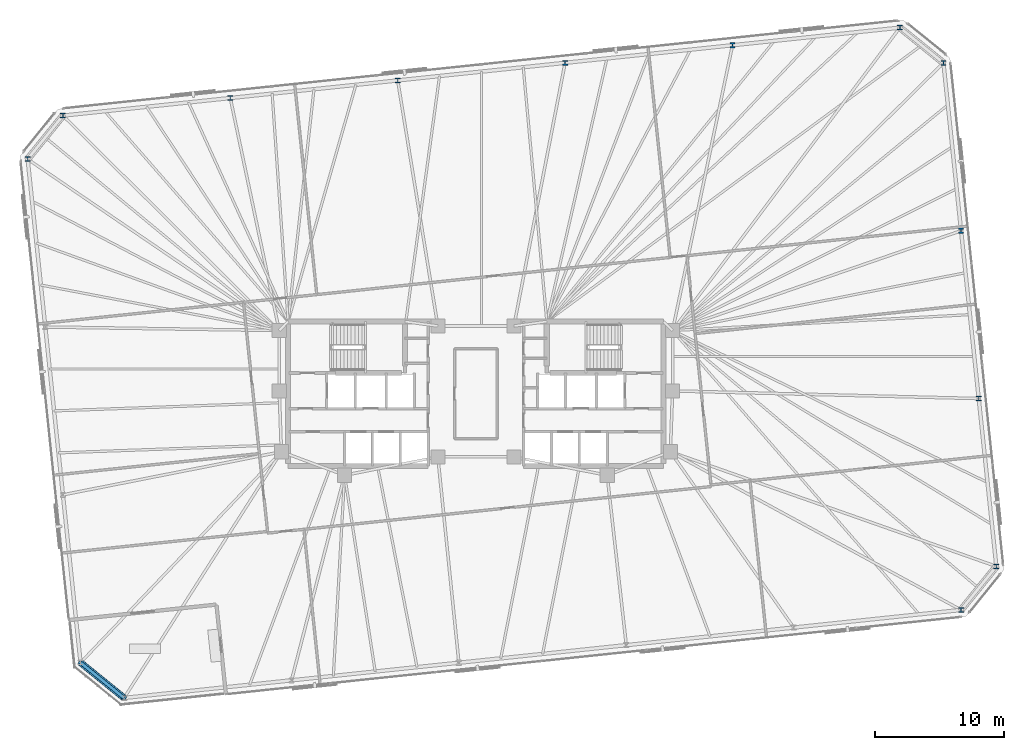
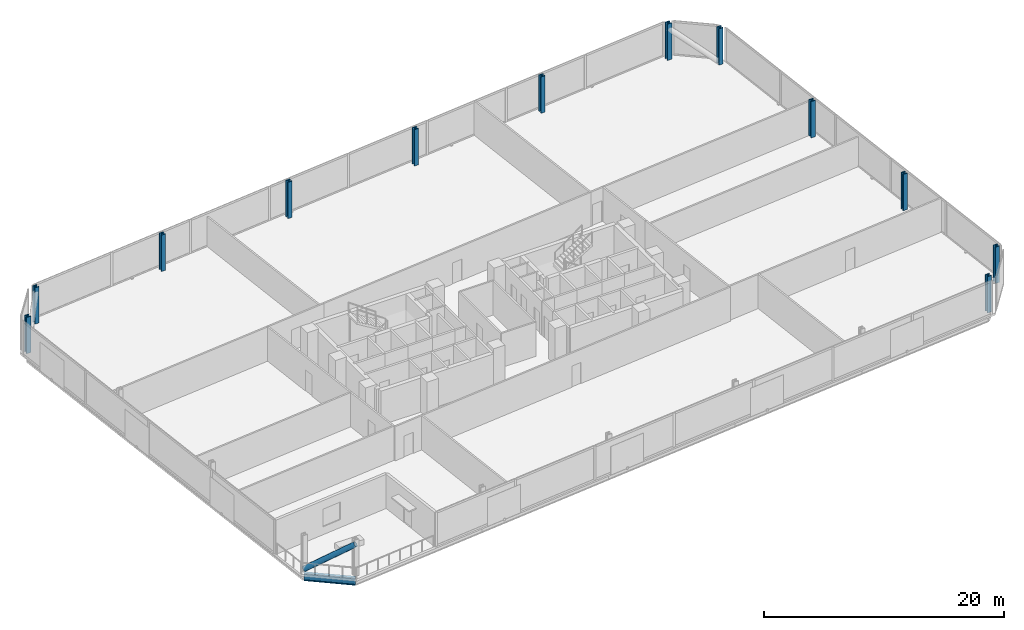
# One storey, part 5 of 18: 12 columns, 1 beam, 1 member.
"""IFC4 building model written with IfcOpenShell, lengths in metres."""

from ifc_helpers import new_model, si_unit, direction, frame, origin, origin_2d, place, context, subcontext, project, spatial, hollow_circle, i_section, extrude, material, material_profile, profile_set, type_object, element, save


model = new_model("IFC4")

# Units and contexts
model_context = context("Model", 3, precision=1e-05, world=origin(), true_north=direction((0.0, 1.0)))
body_context = subcontext(model_context, "Body", "Model", "MODEL_VIEW")
ifc_project = project(units=[si_unit("LENGTHUNIT", "METRE"), si_unit("AREAUNIT", "SQUARE_METRE"), si_unit("VOLUMEUNIT", "CUBIC_METRE"), si_unit("PLANEANGLEUNIT", "RADIAN"), si_unit("MASSUNIT", "GRAM", prefix="KILO")], contexts=[model_context])

# Site, building, storey
site_placement = place(None, origin())
site = spatial("IfcSite", under=ifc_project, at=site_placement, CompositionType="ELEMENT")
building_placement = place(site_placement, origin())
building = spatial("IfcBuilding", under=site, at=building_placement, Name="Menara Jurai Vektor", CompositionType="ELEMENT")
storey_placement = place(building_placement, frame((0.0, 0.0, 113.300048828125)))
storey = spatial("IfcBuildingStorey", under=building, at=storey_placement, Name="L28", CompositionType="ELEMENT", Elevation=113.300048828125)

# Columns
ifc_material = material(Name="Steel S460", Category="steel")
ifc_material_profile_1 = material_profile(ifc_material, i_section(OverallWidth=0.4130859375, OverallDepth=0.39794921875, WebThickness=0.055908203125, FlangeThickness=0.089111328125, FilletRadius=0.014892578125, at=origin_2d()), Name="HD 400x744")
ifc_profile_set_1 = profile_set([ifc_material_profile_1], Name="Steel S460")
column_type = type_object("IfcColumnType", Name="STR-EXO-BLK2", PredefinedType="COLUMN", material=ifc_profile_set_1)
for number, where, z_axis, x_axis, name in (
    (1, (37.621826171875, -16.76513671875, 0.0), (0.0, 0.0, 1.0), (1.0, 0.0, 0.0), "Exoskeleton Column BLK2-S6 L28"),
    (2, (40.356201171875, -13.388671875, 0.0), (0.0, 0.0, 1.0), (1.0, 0.0, 0.0), "Exoskeleton Column BLK2-E1 L28"),
    (3, (38.98828125, -0.375, 0.0), (0.0, 0.0, 1.0), (1.0, 0.0, 0.0), "Exoskeleton Column BLK2-E2 L28"),
    (4, (37.62060546875, 12.638427734375, 0.0), (0.0, 0.0, 1.0), (1.0, 0.0, 0.0), "Exoskeleton Column BLK2-E3 L28"),
    (5, (36.252685546875, 25.65185546875, 0.0), (0.0, 0.0, 1.0), (1.0, 0.0, 0.0), "Exoskeleton Column BLK2-E4 L28"),
    (6, (32.876220703125, 28.38623046875, 0.0), (0.0, 0.0, 1.0), (1.0, 0.0, 0.0), "Exoskeleton Column BLK2-N1 L28"),
    (7, (19.896728515625, 27.02197265625, 0.0), (0.0, 0.0, 1.0), (1.0, 0.0, 0.0), "Exoskeleton Column BLK2-N2 L28"),
    (8, (6.9169921875, 25.65771484375, 0.0), (0.0, 0.0, 1.0), (1.0, 0.0, 0.0), "Exoskeleton Column BLK2-N3 L28"),
    (9, (-6.0625, 24.29345703125, 0.0), (0.0, 0.0, 1.0), (1.0, 0.0, 0.0), "Exoskeleton Column BLK2-N4 L28"),
    (10, (-19.042236328125, 22.929443359375, 0.0), (0.0, 0.0, 1.0), (1.0, 0.0, 0.0), "Exoskeleton Column BLK2-N5 L28"),
    (11, (-32.02197265625, 21.565185546875, 0.0), (0.0, 0.0, 1.0), (1.0, 0.0, 0.0), "Exoskeleton Column BLK2-N6 L28"),
    (12, (-34.756103515625, 18.188720703125, 0.0), (0.0, 0.0, 1.0), (1.0, 0.0, 0.0), "Exoskeleton Column BLK2-W1 L28"),
):
    element("IfcColumn", number, at=place(storey_placement, frame(where, z_axis=z_axis, x_axis=x_axis)), inside=storey, type_object=column_type, Name=name, PredefinedType="COLUMN", context=body_context, shape_type="SweptSolid", body=[
        extrude(i_section(OverallWidth=0.4130859375, OverallDepth=0.39794921875, WebThickness=0.055908203125, FlangeThickness=0.089111328125, FilletRadius=0.014892578125, at=origin_2d()), origin(), (0.0, 0.0, 1.0), 3.699951171875),
    ])

# Member
ifc_material_profile_2 = material_profile(ifc_material, hollow_circle(Radius=0.25390625, WallThickness=0.02001953125, at=origin_2d()), Name="CHS 508x20")
ifc_profile_set_2 = profile_set([ifc_material_profile_2], Name="Steel S460")
member_type = type_object("IfcMemberType", Name="STR-BR-508", PredefinedType="BRACE", material=ifc_profile_set_2)
member_placement = place(storey_placement, frame((-30.65283203125, -20.85205078125, 0.14990234375), z_axis=(0.641223283484, -0.519237856236, 0.564999778203), x_axis=(0.629309762217, 0.777154568396, 0.0)))
element("IfcMember", 13, at=member_placement, inside=storey, type_object=member_type, Name="Exoskeleton Corner Brace L28-4", PredefinedType="BRACE", context=body_context, shape_type="SweptSolid", body=[
    extrude(hollow_circle(Radius=0.25390625, WallThickness=0.02001953125, at=origin_2d()), origin(), (0.0, 0.0, 1.0), 5.265625),
])

# Beam
ifc_material_profile_3 = material_profile(ifc_material, i_section(OverallWidth=0.26806640625, OverallDepth=0.77001953125, WebThickness=0.01611328125, FlangeThickness=0.02490234375, FilletRadius=0.01708984375, at=origin_2d()), Name="UKB 762x267x197")
ifc_profile_set_3 = profile_set([ifc_material_profile_3], Name="Steel S460")
beam_type = type_object("IfcBeamType", Name="STR-SP-762", PredefinedType="SPANDREL", material=ifc_profile_set_3)
beam_placement = place(storey_placement, frame((-30.65283203125, -20.85205078125, -0.610107421875), z_axis=(0.777154568396, -0.629309762217, 0.0), x_axis=(0.629309762217, 0.777154568396, 0.0)))
element("IfcBeam", 14, at=beam_placement, inside=storey, type_object=beam_type, Name="Exoskeleton Spandrel Beam L28-20", PredefinedType="SPANDREL", context=body_context, shape_type="SweptSolid", body=[
    extrude(i_section(OverallWidth=0.26806640625, OverallDepth=0.77001953125, WebThickness=0.01611328125, FlangeThickness=0.02490234375, FilletRadius=0.01708984375, at=origin_2d()), origin(), (0.0, 0.0, 1.0), 4.3447265625),
])

save(model, "model.ifc")
